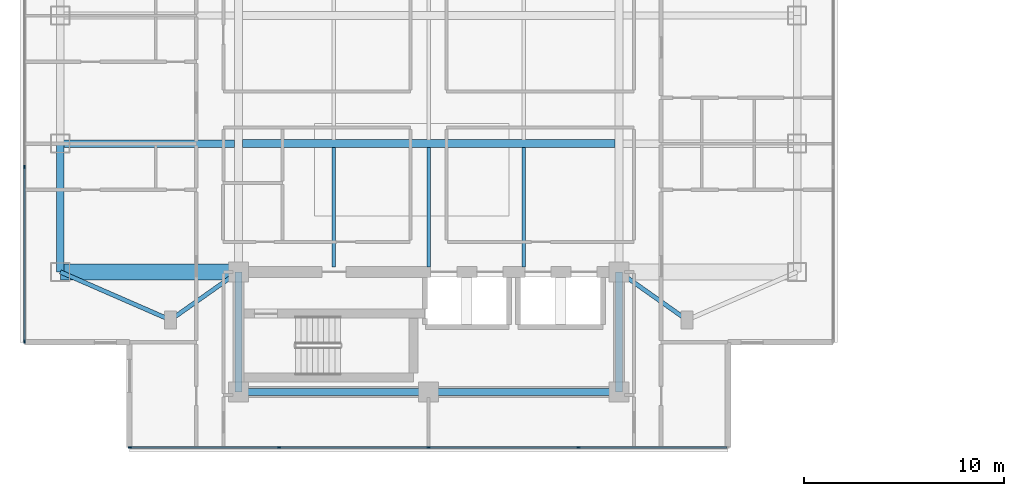
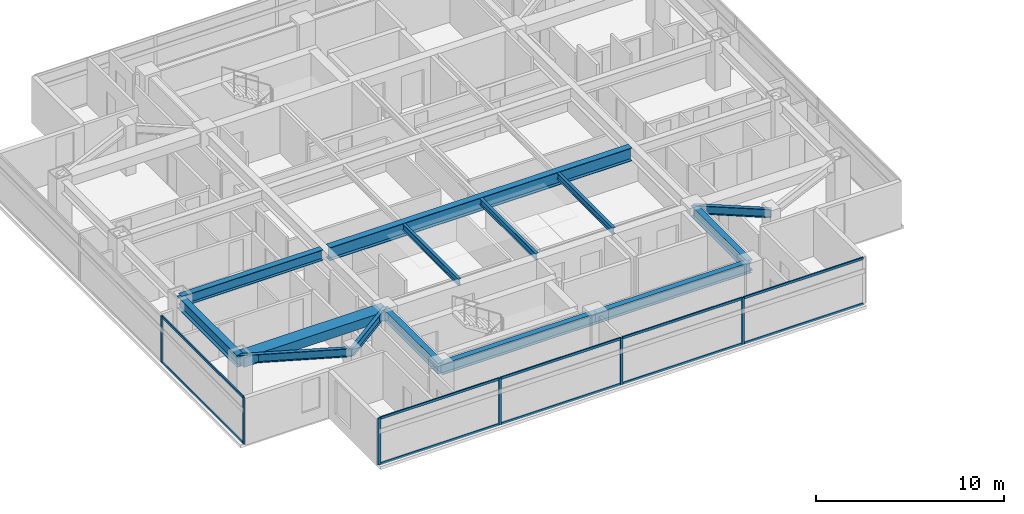
# One storey, part 2 of 24: 16 members, 14 beams, 2 elements without a shape of their own.
"""IFC4 building model written with IfcOpenShell, lengths in metres."""

from ifc_helpers import new_model, si_unit, direction, frame, origin, origin_2d, place, context, subcontext, project, spatial, rectangle, i_section, extrude, material, material_profile, profile_set, type_object, element, aggregate, save


model = new_model("IFC4")

# Units and contexts
model_context = context("Model", 3, precision=1e-05, world=origin(), true_north=direction((0.0, 1.0)))
body_context = subcontext(model_context, "Body", "Model", "MODEL_VIEW")
ifc_project = project(units=[si_unit("LENGTHUNIT", "METRE"), si_unit("AREAUNIT", "SQUARE_METRE"), si_unit("VOLUMEUNIT", "CUBIC_METRE"), si_unit("PLANEANGLEUNIT", "RADIAN"), si_unit("MASSUNIT", "GRAM", prefix="KILO")], contexts=[model_context])

# Site, building, storey
site_placement = place(None, origin())
site = spatial("IfcSite", under=ifc_project, at=site_placement, CompositionType="ELEMENT")
building_placement = place(site_placement, origin())
building = spatial("IfcBuilding", under=site, at=building_placement, Name="Mirazonda Arch Towers", CompositionType="ELEMENT")
storey_placement = place(building_placement, frame((0.0, 0.0, 160.89990234375)))
storey = spatial("IfcBuildingStorey", under=building, at=storey_placement, Name="L45", CompositionType="ELEMENT", Elevation=160.89990234375)

# Beams
ifc_material_1 = material(Name="Steel ASTM A992 Grade 50", Category="steel")
ifc_material_profile_1 = material_profile(ifc_material_1, i_section(OverallWidth=0.381103515625, OverallDepth=0.77294921875, WebThickness=0.0166015625, FlangeThickness=0.027099609375, at=origin_2d()), Name="W30X173")
ifc_profile_set_1 = profile_set([ifc_material_profile_1], Name="Steel ASTM A992 Grade 50")
beam_type_1 = type_object("IfcBeamType", Name="BM-EXT-W30X173", PredefinedType="USERDEFINED", material=ifc_profile_set_1)
beam_1_placement = place(storey_placement, frame((2.10009765625, 18.39990234375, 2.66357421875), z_axis=(0.0, 1.0, 0.0), x_axis=(-1.0, 0.0, 0.0)))
element("IfcBeam", 1, at=beam_1_placement, inside=storey, type_object=beam_type_1, Name="L45 Floor Beam BM-T1-L45-NS-W-18", ObjectType="GIRDER", PredefinedType="USERDEFINED", context=body_context, shape_type="SweptSolid", body=[
    extrude(i_section(OverallWidth=0.381103515625, OverallDepth=0.77294921875, WebThickness=0.0166015625, FlangeThickness=0.027099609375, at=origin_2d()), origin(), (0.0, 0.0, 1.0), 6.400146484375),
])
ifc_material_profile_2 = material_profile(ifc_material_1, i_section(OverallWidth=0.180908203125, OverallDepth=0.4169921875, WebThickness=0.010986328125, FlangeThickness=0.018310546875, at=origin_2d()), Name="W16X57")
ifc_profile_set_2 = profile_set([ifc_material_profile_2], Name="Steel ASTM A992 Grade 50")
beam_type_2 = type_object("IfcBeamType", Name="BM-INT-W16X57", PredefinedType="JOIST", material=ifc_profile_set_2)
for number, where, z_axis, x_axis, name in (
    (2, (15.75, 18.639892578125, 2.841552734375), (0.0, 1.0, 0.0), (-1.0, 0.0, 0.0), "L45 Floor Beam BM-T1-L45-J-157-18"),
    (3, (20.5, 18.639892578125, 2.841552734375), (0.0, 1.0, 0.0), (-1.0, 0.0, 0.0), "L45 Floor Beam BM-T1-L45-J-205-18"),
    (4, (25.25, 18.639892578125, 2.841552734375), (0.0, 1.0, 0.0), (-1.0, 0.0, 0.0), "L45 Floor Beam BM-T1-L45-J-252-18"),
):
    element("IfcBeam", number, at=place(storey_placement, frame(where, z_axis=z_axis, x_axis=x_axis)), inside=storey, type_object=beam_type_2, Name=name, PredefinedType="JOIST", context=body_context, shape_type="SweptSolid", body=[
        extrude(i_section(OverallWidth=0.180908203125, OverallDepth=0.4169921875, WebThickness=0.010986328125, FlangeThickness=0.018310546875, at=origin_2d()), origin(), (0.0, 0.0, 1.0), 5.964111328125),
    ])
ifc_material_profile_3 = material_profile(ifc_material_1, i_section(OverallWidth=0.214111328125, OverallDepth=0.549072265625, WebThickness=0.0146484375, FlangeThickness=0.023681640625, at=origin_2d()), Name="W21X93")
ifc_profile_set_3 = profile_set([ifc_material_profile_3], Name="Steel ASTM A992 Grade 50")
beam_type_3 = type_object("IfcBeamType", Name="BM-INT-W21X93", PredefinedType="BEAM", material=ifc_profile_set_3)
beam_2_placement = place(storey_placement, frame((7.60009765625, 16.0, 2.775634765625), z_axis=(0.816971114901, 0.576678591087, 0.0), x_axis=(-0.576678591087, 0.816971114901, 0.0)))
element("IfcBeam", 5, at=beam_2_placement, inside=storey, type_object=beam_type_3, Name="L45 Floor Beam BM-T1-L45-PL-SW1", PredefinedType="BEAM", context=body_context, shape_type="SweptSolid", body=[
    extrude(i_section(OverallWidth=0.214111328125, OverallDepth=0.549072265625, WebThickness=0.0146484375, FlangeThickness=0.023681640625, at=origin_2d()), origin(), (0.0, 0.0, 1.0), 4.16162109375),
])
beam_3_placement = place(storey_placement, frame((7.60009765625, 16.0, 2.775634765625), z_axis=(-0.916545343703, 0.399930785183, 0.0), x_axis=(-0.399930785183, -0.916545343703, 0.0)))
element("IfcBeam", 6, at=beam_3_placement, inside=storey, type_object=beam_type_3, Name="L45 Floor Beam BM-T1-L45-PL-SW2", PredefinedType="BEAM", context=body_context, shape_type="SweptSolid", body=[
    extrude(i_section(OverallWidth=0.214111328125, OverallDepth=0.549072265625, WebThickness=0.0146484375, FlangeThickness=0.023681640625, at=origin_2d()), origin(), (0.0, 0.0, 1.0), 6.000732421875),
])
beam_4_placement = place(storey_placement, frame((33.39990234375, 16.0, 2.775634765625), z_axis=(-0.816971114901, 0.576678591087, 0.0), x_axis=(-0.576678591087, -0.816971114901, 0.0)))
element("IfcBeam", 7, at=beam_4_placement, inside=storey, type_object=beam_type_3, Name="L45 Floor Beam BM-T1-L45-PL-SE1", PredefinedType="BEAM", context=body_context, shape_type="SweptSolid", body=[
    extrude(i_section(OverallWidth=0.214111328125, OverallDepth=0.549072265625, WebThickness=0.0146484375, FlangeThickness=0.023681640625, at=origin_2d()), origin(), (0.0, 0.0, 1.0), 4.16162109375),
])
ifc_material_profile_4 = material_profile(ifc_material_1, i_section(OverallWidth=0.35498046875, OverallDepth=0.696044921875, WebThickness=0.015380859375, FlangeThickness=0.02490234375, at=origin_2d()), Name="W27X146")
ifc_profile_set_4 = profile_set([ifc_material_profile_4], Name="Steel ASTM A992 Grade 50")
beam_type_4 = type_object("IfcBeamType", Name="BM-INT-W27X146", PredefinedType="BEAM", material=ifc_profile_set_4)
beam_5_placement = place(storey_placement, frame((2.10009765625, 24.800048828125, 2.7021484375), z_axis=(1.0, 0.0, 0.0), x_axis=(0.0, 1.0, 0.0)))
element("IfcBeam", 8, at=beam_5_placement, inside=storey, type_object=beam_type_4, Name="L45 Floor Beam BM-T1-L45-GW2", PredefinedType="BEAM", context=body_context, shape_type="SweptSolid", body=[
    extrude(i_section(OverallWidth=0.35498046875, OverallDepth=0.696044921875, WebThickness=0.015380859375, FlangeThickness=0.02490234375, at=origin_2d()), origin(), (0.0, 0.0, 1.0), 8.699951171875),
])
for number, where, z_axis, x_axis, name in (
    (9, (11.0, 12.39990234375, 2.7021484375), (1.0, 0.0, 0.0), (0.0, 1.0, 0.0), "L45 Floor Beam BM-T1-L45-CS1"),
    (10, (20.5, 12.39990234375, 2.7021484375), (1.0, 0.0, 0.0), (0.0, 1.0, 0.0), "L45 Floor Beam BM-T1-L45-CS2"),
):
    element("IfcBeam", number, at=place(storey_placement, frame(where, z_axis=z_axis, x_axis=x_axis)), inside=storey, type_object=beam_type_4, Name=name, PredefinedType="BEAM", context=body_context, shape_type="SweptSolid", body=[
        extrude(i_section(OverallWidth=0.35498046875, OverallDepth=0.696044921875, WebThickness=0.015380859375, FlangeThickness=0.02490234375, at=origin_2d()), origin(), (0.0, 0.0, 1.0), 9.5),
    ])
for number, where, z_axis, x_axis, name in (
    (11, (11.0, 12.39990234375, 2.7021484375), (0.0, 1.0, 0.0), (-1.0, 0.0, 0.0), "L45 Floor Beam BM-T1-L45-CSW"),
    (12, (30.0, 12.39990234375, 2.7021484375), (0.0, 1.0, 0.0), (-1.0, 0.0, 0.0), "L45 Floor Beam BM-T1-L45-CSE"),
):
    element("IfcBeam", number, at=place(storey_placement, frame(where, z_axis=z_axis, x_axis=x_axis)), inside=storey, type_object=beam_type_4, Name=name, PredefinedType="BEAM", context=body_context, shape_type="SweptSolid", body=[
        extrude(i_section(OverallWidth=0.35498046875, OverallDepth=0.696044921875, WebThickness=0.015380859375, FlangeThickness=0.02490234375, at=origin_2d()), origin(), (0.0, 0.0, 1.0), 6.0),
    ])
ifc_material_profile_5 = material_profile(ifc_material_1, i_section(OverallWidth=0.39990234375, OverallDepth=0.85595703125, WebThickness=0.018310546875, FlangeThickness=0.029296875, at=origin_2d()), Name="W33X201")
ifc_profile_set_5 = profile_set([ifc_material_profile_5], Name="Steel ASTM A992 Grade 50")
beam_type_5 = type_object("IfcBeamType", Name="BM-INT-W33X201", PredefinedType="USERDEFINED", material=ifc_profile_set_5)
beam_6_placement = place(storey_placement, frame((11.199951171875, 24.800048828125, 2.6220703125), z_axis=(1.0, 0.0, 0.0), x_axis=(0.0, 1.0, 0.0)))
element("IfcBeam", 13, at=beam_6_placement, inside=storey, type_object=beam_type_5, Name="L45 Floor Beam BM-T1-L45-GC2", ObjectType="GIRDER", PredefinedType="USERDEFINED", context=body_context, shape_type="SweptSolid", body=[
    extrude(i_section(OverallWidth=0.39990234375, OverallDepth=0.85595703125, WebThickness=0.018310546875, FlangeThickness=0.029296875, at=origin_2d()), origin(), (0.0, 0.0, 1.0), 18.60009765625),
])
ifc_material_2 = material(Name="Concrete C60/75", Category="concrete")
ifc_material_profile_6 = material_profile(ifc_material_2, rectangle(XDim=0.800048828125, YDim=0.60009765625, at=origin_2d()), Name="RCCB800x600")
ifc_profile_set_6 = profile_set([ifc_material_profile_6], Name="Concrete C60/75")
beam_type_6 = type_object("IfcBeamType", Name="CB-INT-RCCB800x600", PredefinedType="SPANDREL", material=ifc_profile_set_6)
beam_7_placement = place(storey_placement, frame((2.10009765625, 18.39990234375, 2.75), z_axis=(1.0, 0.0, 0.0), x_axis=(0.0, 1.0, 0.0)))
element("IfcBeam", 14, at=beam_7_placement, inside=storey, type_object=beam_type_6, Name="L45 Floor Beam CBC-T1-L45-SW", PredefinedType="SPANDREL", context=body_context, shape_type="SweptSolid", body=[
    extrude(rectangle(XDim=0.800048828125, YDim=0.60009765625, at=origin_2d()), origin(), (0.0, 0.0, 1.0), 8.89990234375),
])

# Curtain wall, members
ifc_material_3 = material(Name="Anodised Aluminium and Low-E Glass", Category="aluminium")
curtain_wall_type = type_object("IfcCurtainWallType", Name="CW-RES-UNIT", PredefinedType="NOTDEFINED", material=ifc_material_3)
curtain_wall_1_placement = place(storey_placement, origin())
curtain_wall_1 = element("IfcCurtainWall", 15, at=curtain_wall_1_placement, inside=storey, type_object=curtain_wall_type, Name="L45 T1 S Facade CW-L45-T1-S", PredefinedType="NOTDEFINED")
ifc_material_4 = material(Name="Anodised Aluminium Alloy", Category="aluminium")
ifc_material_profile_7 = material_profile(ifc_material_4, rectangle(XDim=0.074951171875, YDim=0.175048828125, at=origin_2d()), Name="ALU-MULL-75x175")
ifc_profile_set_7 = profile_set([ifc_material_profile_7], Name="Anodised Aluminium Alloy")
member_type_1 = type_object("IfcMemberType", Name="MULL-CW-RES-UNIT", PredefinedType="MULLION", material=ifc_profile_set_7)
member_1_placement = place(storey_placement, frame((27.972412109375, 9.634033203125, 0.0), z_axis=(0.0, 0.0, 1.0), x_axis=(0.0, -1.0, 0.0)))
member_1 = element("IfcMember", 16, at=member_1_placement, type_object=member_type_1, Name="CW-104 mullion 2", PredefinedType="MULLION", context=body_context, shape_type="SweptSolid", body=[
    extrude(rectangle(XDim=0.074951171875, YDim=0.175048828125, at=origin_2d()), origin(), (0.0, 0.0, 1.0), 3.030029296875),
])
member_2_placement = place(storey_placement, frame((20.5, 9.634033203125, 0.0), z_axis=(0.0, 0.0, 1.0), x_axis=(0.0, -1.0, 0.0)))
member_2 = element("IfcMember", 17, at=member_2_placement, type_object=member_type_1, Name="CW-104 mullion 3", PredefinedType="MULLION", context=body_context, shape_type="SweptSolid", body=[
    extrude(rectangle(XDim=0.074951171875, YDim=0.175048828125, at=origin_2d()), origin(), (0.0, 0.0, 1.0), 3.030029296875),
])
member_3_placement = place(storey_placement, frame((13.027587890625, 9.634033203125, 0.0), z_axis=(0.0, 0.0, 1.0), x_axis=(0.0, -1.0, 0.0)))
member_3 = element("IfcMember", 18, at=member_3_placement, type_object=member_type_1, Name="CW-104 mullion 4", PredefinedType="MULLION", context=body_context, shape_type="SweptSolid", body=[
    extrude(rectangle(XDim=0.074951171875, YDim=0.175048828125, at=origin_2d()), origin(), (0.0, 0.0, 1.0), 3.030029296875),
])
member_4_placement = place(storey_placement, frame((5.592529296875, 9.634033203125, 0.0), z_axis=(0.0, 0.0, 1.0), x_axis=(0.0, -1.0, 0.0)))
member_4 = element("IfcMember", 19, at=member_4_placement, type_object=member_type_1, Name="CW-104 mullion 5", PredefinedType="MULLION", context=body_context, shape_type="SweptSolid", body=[
    extrude(rectangle(XDim=0.074951171875, YDim=0.175048828125, at=origin_2d()), origin(), (0.0, 0.0, 1.0), 3.030029296875),
])

curtain_wall_2_placement = place(storey_placement, origin())
curtain_wall_2 = element("IfcCurtainWall", 20, at=curtain_wall_2_placement, inside=storey, type_object=curtain_wall_type, Name="L45 T1 W Facade CW-L45-T1-W", PredefinedType="NOTDEFINED")
member_5_placement = place(storey_placement, frame((0.31005859375, 23.626220703125, 0.0), z_axis=(0.0, 0.0, 1.0), x_axis=(1.0, 0.0, 0.0)))
member_5 = element("IfcMember", 21, at=member_5_placement, type_object=member_type_1, Name="CW-104 mullion 3", PredefinedType="MULLION", context=body_context, shape_type="SweptSolid", body=[
    extrude(rectangle(XDim=0.074951171875, YDim=0.175048828125, at=origin_2d()), origin(), (0.0, 0.0, 1.0), 3.030029296875),
])
member_6_placement = place(storey_placement, frame((0.31005859375, 14.91650390625, 0.0), z_axis=(0.0, 0.0, 1.0), x_axis=(1.0, 0.0, 0.0)))
member_6 = element("IfcMember", 22, at=member_6_placement, type_object=member_type_1, Name="CW-104 mullion 4", PredefinedType="MULLION", context=body_context, shape_type="SweptSolid", body=[
    extrude(rectangle(XDim=0.074951171875, YDim=0.175048828125, at=origin_2d()), origin(), (0.0, 0.0, 1.0), 3.030029296875),
])

# Member
ifc_material_profile_8 = material_profile(ifc_material_4, rectangle(XDim=0.074951171875, YDim=0.155029296875, at=origin_2d()), Name="ALU-TRAN-75x155")
ifc_profile_set_8 = profile_set([ifc_material_profile_8], Name="Anodised Aluminium Alloy")
member_type_2 = type_object("IfcMemberType", Name="TRAN-CW-RES-UNIT", PredefinedType="USERDEFINED", material=ifc_profile_set_8)
member_7_placement = place(storey_placement, frame((35.3701171875, 9.634033203125, 0.03759765625), z_axis=(-1.0, 0.0, 0.0), x_axis=(0.0, -1.0, 0.0)))
member_7 = element("IfcMember", 23, at=member_7_placement, type_object=member_type_2, Name="CW-104 transom 1.1", ObjectType="TRANSOM", PredefinedType="USERDEFINED", context=body_context, shape_type="SweptSolid", body=[
    extrude(rectangle(XDim=0.074951171875, YDim=0.155029296875, at=origin_2d()), origin(), (0.0, 0.0, 1.0), 7.360107421875),
])

member_8_placement = place(storey_placement, frame((35.3701171875, 9.634033203125, 2.99267578125), z_axis=(-1.0, 0.0, 0.0), x_axis=(0.0, -1.0, 0.0)))
member_8 = element("IfcMember", 24, at=member_8_placement, type_object=member_type_2, Name="CW-104 transom 1.2", ObjectType="TRANSOM", PredefinedType="USERDEFINED", context=body_context, shape_type="SweptSolid", body=[
    extrude(rectangle(XDim=0.074951171875, YDim=0.155029296875, at=origin_2d()), origin(), (0.0, 0.0, 1.0), 7.360107421875),
])

member_9_placement = place(storey_placement, frame((27.93505859375, 9.634033203125, 0.03759765625), z_axis=(-1.0, 0.0, 0.0), x_axis=(0.0, -1.0, 0.0)))
member_9 = element("IfcMember", 25, at=member_9_placement, type_object=member_type_2, Name="CW-104 transom 2.1", ObjectType="TRANSOM", PredefinedType="USERDEFINED", context=body_context, shape_type="SweptSolid", body=[
    extrude(rectangle(XDim=0.074951171875, YDim=0.155029296875, at=origin_2d()), origin(), (0.0, 0.0, 1.0), 7.3974609375),
])

member_10_placement = place(storey_placement, frame((27.93505859375, 9.634033203125, 2.99267578125), z_axis=(-1.0, 0.0, 0.0), x_axis=(0.0, -1.0, 0.0)))
member_10 = element("IfcMember", 26, at=member_10_placement, type_object=member_type_2, Name="CW-104 transom 2.2", ObjectType="TRANSOM", PredefinedType="USERDEFINED", context=body_context, shape_type="SweptSolid", body=[
    extrude(rectangle(XDim=0.074951171875, YDim=0.155029296875, at=origin_2d()), origin(), (0.0, 0.0, 1.0), 7.3974609375),
])

member_11_placement = place(storey_placement, frame((20.46240234375, 9.634033203125, 0.03759765625), z_axis=(-1.0, 0.0, 0.0), x_axis=(0.0, -1.0, 0.0)))
member_11 = element("IfcMember", 27, at=member_11_placement, type_object=member_type_2, Name="CW-104 transom 3.1", ObjectType="TRANSOM", PredefinedType="USERDEFINED", context=body_context, shape_type="SweptSolid", body=[
    extrude(rectangle(XDim=0.074951171875, YDim=0.155029296875, at=origin_2d()), origin(), (0.0, 0.0, 1.0), 7.3974609375),
])

member_12_placement = place(storey_placement, frame((20.46240234375, 9.634033203125, 2.99267578125), z_axis=(-1.0, 0.0, 0.0), x_axis=(0.0, -1.0, 0.0)))
member_12 = element("IfcMember", 28, at=member_12_placement, type_object=member_type_2, Name="CW-104 transom 3.2", ObjectType="TRANSOM", PredefinedType="USERDEFINED", context=body_context, shape_type="SweptSolid", body=[
    extrude(rectangle(XDim=0.074951171875, YDim=0.155029296875, at=origin_2d()), origin(), (0.0, 0.0, 1.0), 7.3974609375),
])

member_13_placement = place(storey_placement, frame((12.989990234375, 9.634033203125, 0.03759765625), z_axis=(-1.0, 0.0, 0.0), x_axis=(0.0, -1.0, 0.0)))
member_13 = element("IfcMember", 29, at=member_13_placement, type_object=member_type_2, Name="CW-104 transom 4.1", ObjectType="TRANSOM", PredefinedType="USERDEFINED", context=body_context, shape_type="SweptSolid", body=[
    extrude(rectangle(XDim=0.074951171875, YDim=0.155029296875, at=origin_2d()), origin(), (0.0, 0.0, 1.0), 7.360107421875),
])

member_14_placement = place(storey_placement, frame((12.989990234375, 9.634033203125, 2.99267578125), z_axis=(-1.0, 0.0, 0.0), x_axis=(0.0, -1.0, 0.0)))
member_14 = element("IfcMember", 30, at=member_14_placement, type_object=member_type_2, Name="CW-104 transom 4.2", ObjectType="TRANSOM", PredefinedType="USERDEFINED", context=body_context, shape_type="SweptSolid", body=[
    extrude(rectangle(XDim=0.074951171875, YDim=0.155029296875, at=origin_2d()), origin(), (0.0, 0.0, 1.0), 7.360107421875),
])

aggregate(curtain_wall_1, [member_1, member_2, member_3, member_4, member_7, member_8, member_9, member_10, member_11, member_12, member_13, member_14])

member_15_placement = place(storey_placement, frame((0.31005859375, 23.5888671875, 0.03759765625), z_axis=(0.0, -1.0, 0.0), x_axis=(1.0, 0.0, 0.0)))
member_15 = element("IfcMember", 31, at=member_15_placement, type_object=member_type_2, Name="CW-104 transom 3.1", ObjectType="TRANSOM", PredefinedType="USERDEFINED", context=body_context, shape_type="SweptSolid", body=[
    extrude(rectangle(XDim=0.074951171875, YDim=0.155029296875, at=origin_2d()), origin(), (0.0, 0.0, 1.0), 8.634765625),
])

member_16_placement = place(storey_placement, frame((0.31005859375, 23.5888671875, 2.99267578125), z_axis=(0.0, -1.0, 0.0), x_axis=(1.0, 0.0, 0.0)))
member_16 = element("IfcMember", 32, at=member_16_placement, type_object=member_type_2, Name="CW-104 transom 3.2", ObjectType="TRANSOM", PredefinedType="USERDEFINED", context=body_context, shape_type="SweptSolid", body=[
    extrude(rectangle(XDim=0.074951171875, YDim=0.155029296875, at=origin_2d()), origin(), (0.0, 0.0, 1.0), 8.634765625),
])

aggregate(curtain_wall_2, [member_5, member_6, member_15, member_16])

save(model, "model.ifc")
